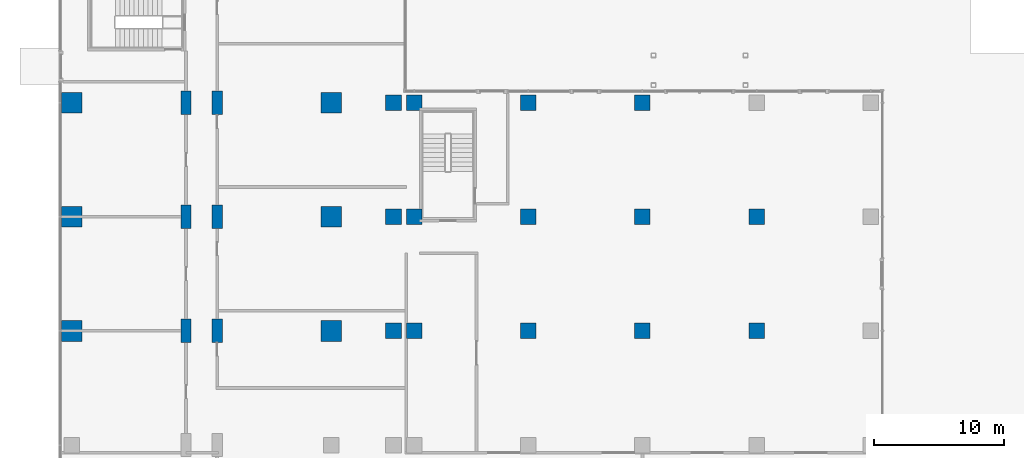
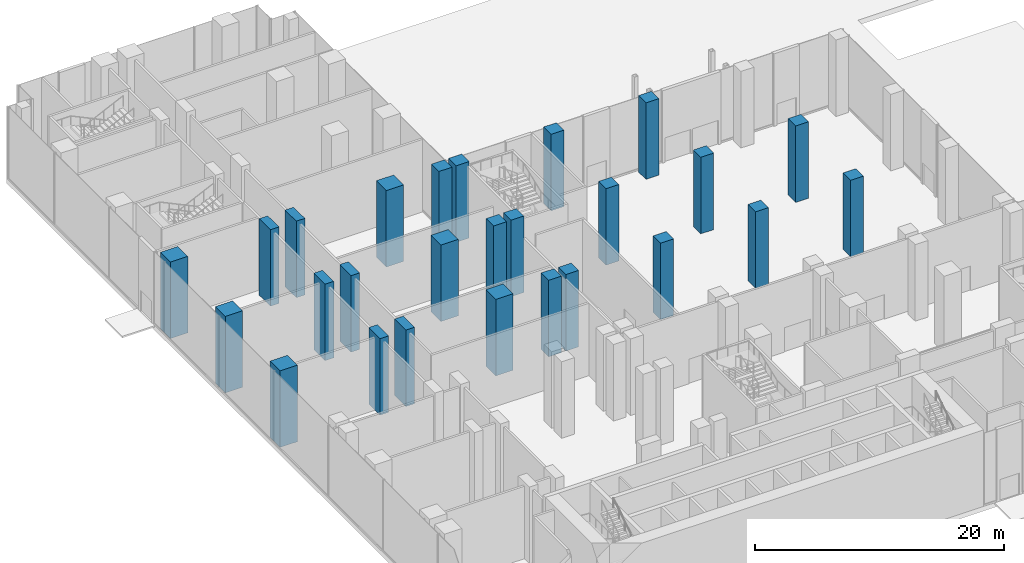
# One storey, part 3 of 41: 26 columns.
"""IFC4 building model written with IfcOpenShell, lengths in metres."""

from ifc_helpers import new_model, si_unit, direction, frame, origin, origin_2d, place, context, subcontext, project, spatial, rectangle, extrude, material, material_profile, profile_set, type_object, element, save


model = new_model("IFC4")

# Units and contexts
model_context = context("Model", 3, precision=1e-05, world=origin(), true_north=direction((0.0, 1.0)))
body_context = subcontext(model_context, "Body", "Model", "MODEL_VIEW")
ifc_project = project(units=[si_unit("LENGTHUNIT", "METRE"), si_unit("AREAUNIT", "SQUARE_METRE"), si_unit("VOLUMEUNIT", "CUBIC_METRE"), si_unit("PLANEANGLEUNIT", "RADIAN"), si_unit("MASSUNIT", "GRAM", prefix="KILO")], contexts=[model_context])

# Site, building, storey
site_placement = place(None, origin())
site = spatial("IfcSite", under=ifc_project, at=site_placement, CompositionType="ELEMENT")
building_placement = place(site_placement, origin())
building = spatial("IfcBuilding", under=site, at=building_placement, Name="Kemantara Hotel Tower", CompositionType="ELEMENT")
storey_placement = place(building_placement, origin())
storey = spatial("IfcBuildingStorey", under=building, at=storey_placement, Name="L00", CompositionType="ELEMENT", Elevation=0.0)

# Columns
ifc_material = material(Name="Concrete fc 70 MPa", Category="concrete")
ifc_material_profile_1 = material_profile(ifc_material, rectangle(XDim=1.199951171875, YDim=1.199951171875, at=origin_2d()), Name="RC 1200X1200")
ifc_profile_set_1 = profile_set([ifc_material_profile_1], Name="Concrete fc 70 MPa")
column_type_1 = type_object("IfcColumnType", Name="RC COLUMN 1200X1200 FC70", PredefinedType="COLUMN", material=ifc_profile_set_1)
for number, where, z_axis, x_axis, name in (
    (1, (25.800048828125, 36.199951171875, 0.0), (0.0, 0.0, 1.0), (1.0, 0.0, 0.0), "COLUMN 3A/E L00"),
    (2, (25.800048828125, 45.0, 0.0), (0.0, 0.0, 1.0), (1.0, 0.0, 0.0), "COLUMN 3A/F L00"),
    (3, (25.800048828125, 53.800048828125, 0.0), (0.0, 0.0, 1.0), (1.0, 0.0, 0.0), "COLUMN 3A/G L00"),
    (4, (27.39990234375, 36.199951171875, 0.0), (0.0, 0.0, 1.0), (1.0, 0.0, 0.0), "COLUMN 4/E L00"),
    (5, (27.39990234375, 45.0, 0.0), (0.0, 0.0, 1.0), (1.0, 0.0, 0.0), "COLUMN 4/F L00"),
    (6, (27.39990234375, 53.800048828125, 0.0), (0.0, 0.0, 1.0), (1.0, 0.0, 0.0), "COLUMN 4/G L00"),
    (7, (36.199951171875, 36.199951171875, 0.0), (0.0, 0.0, 1.0), (1.0, 0.0, 0.0), "COLUMN 5/E L00"),
    (8, (36.199951171875, 45.0, 0.0), (0.0, 0.0, 1.0), (1.0, 0.0, 0.0), "COLUMN 5/F L00"),
    (9, (36.199951171875, 53.800048828125, 0.0), (0.0, 0.0, 1.0), (1.0, 0.0, 0.0), "COLUMN 5/G L00"),
    (10, (45.0, 36.199951171875, 0.0), (0.0, 0.0, 1.0), (1.0, 0.0, 0.0), "COLUMN 6/E L00"),
    (11, (45.0, 45.0, 0.0), (0.0, 0.0, 1.0), (1.0, 0.0, 0.0), "COLUMN 6/F L00"),
    (12, (45.0, 53.800048828125, 0.0), (0.0, 0.0, 1.0), (1.0, 0.0, 0.0), "COLUMN 6/G L00"),
    (13, (53.800048828125, 36.199951171875, 0.0), (0.0, 0.0, 1.0), (1.0, 0.0, 0.0), "COLUMN 7/E L00"),
    (14, (53.800048828125, 45.0, 0.0), (0.0, 0.0, 1.0), (1.0, 0.0, 0.0), "COLUMN 7/F L00"),
):
    element("IfcColumn", number, at=place(storey_placement, frame(where, z_axis=z_axis, x_axis=x_axis)), inside=storey, type_object=column_type_1, Name=name, PredefinedType="COLUMN", context=body_context, shape_type="SweptSolid", body=[
        extrude(rectangle(XDim=1.199951171875, YDim=1.199951171875, at=origin_2d()), origin(), (0.0, 0.0, 1.0), 7.5),
    ])
ifc_material_profile_2 = material_profile(ifc_material, rectangle(XDim=1.60009765625, YDim=1.60009765625, at=origin_2d()), Name="RC 1600X1600")
ifc_profile_set_2 = profile_set([ifc_material_profile_2], Name="Concrete fc 70 MPa")
column_type_2 = type_object("IfcColumnType", Name="RC COLUMN 1600X1600 FC70", PredefinedType="COLUMN", material=ifc_profile_set_2)
for number, where, z_axis, x_axis, name in (
    (15, (1.0, 36.199951171875, 0.0), (0.0, 0.0, 1.0), (1.0, 0.0, 0.0), "COLUMN 1/E L00"),
    (16, (1.0, 45.0, 0.0), (0.0, 0.0, 1.0), (1.0, 0.0, 0.0), "COLUMN 1/F L00"),
    (17, (1.0, 53.800048828125, 0.0), (0.0, 0.0, 1.0), (1.0, 0.0, 0.0), "COLUMN 1/G L00"),
    (18, (21.0, 36.199951171875, 0.0), (0.0, 0.0, 1.0), (1.0, 0.0, 0.0), "COLUMN 3/E L00"),
    (19, (21.0, 45.0, 0.0), (0.0, 0.0, 1.0), (1.0, 0.0, 0.0), "COLUMN 3/F L00"),
    (20, (21.0, 53.800048828125, 0.0), (0.0, 0.0, 1.0), (1.0, 0.0, 0.0), "COLUMN 3/G L00"),
):
    element("IfcColumn", number, at=place(storey_placement, frame(where, z_axis=z_axis, x_axis=x_axis)), inside=storey, type_object=column_type_2, Name=name, PredefinedType="COLUMN", context=body_context, shape_type="SweptSolid", body=[
        extrude(rectangle(XDim=1.60009765625, YDim=1.60009765625, at=origin_2d()), origin(), (0.0, 0.0, 1.0), 7.5),
    ])
ifc_material_profile_3 = material_profile(ifc_material, rectangle(XDim=1.800048828125, YDim=0.800048828125, at=origin_2d()), Name="RC 1800X800")
ifc_profile_set_3 = profile_set([ifc_material_profile_3], Name="Concrete fc 70 MPa")
column_type_3 = type_object("IfcColumnType", Name="RC COLUMN 1800X800 FC70", PredefinedType="COLUMN", material=ifc_profile_set_3)
for number, where, z_axis, x_axis, name in (
    (21, (9.800048828125, 36.199951171875, 0.0), (0.0, 0.0, 1.0), (0.0, 1.0, 0.0), "COLUMN 2/E L00"),
    (22, (9.800048828125, 45.0, 0.0), (0.0, 0.0, 1.0), (0.0, 1.0, 0.0), "COLUMN 2/F L00"),
    (23, (9.800048828125, 53.800048828125, 0.0), (0.0, 0.0, 1.0), (0.0, 1.0, 0.0), "COLUMN 2/G L00"),
    (24, (12.199951171875, 36.199951171875, 0.0), (0.0, 0.0, 1.0), (0.0, 1.0, 0.0), "COLUMN 2A/E L00"),
    (25, (12.199951171875, 45.0, 0.0), (0.0, 0.0, 1.0), (0.0, 1.0, 0.0), "COLUMN 2A/F L00"),
    (26, (12.199951171875, 53.800048828125, 0.0), (0.0, 0.0, 1.0), (0.0, 1.0, 0.0), "COLUMN 2A/G L00"),
):
    element("IfcColumn", number, at=place(storey_placement, frame(where, z_axis=z_axis, x_axis=x_axis)), inside=storey, type_object=column_type_3, Name=name, PredefinedType="COLUMN", context=body_context, shape_type="SweptSolid", body=[
        extrude(rectangle(XDim=1.800048828125, YDim=0.800048828125, at=origin_2d()), origin(), (0.0, 0.0, 1.0), 7.5),
    ])

save(model, "model.ifc")
